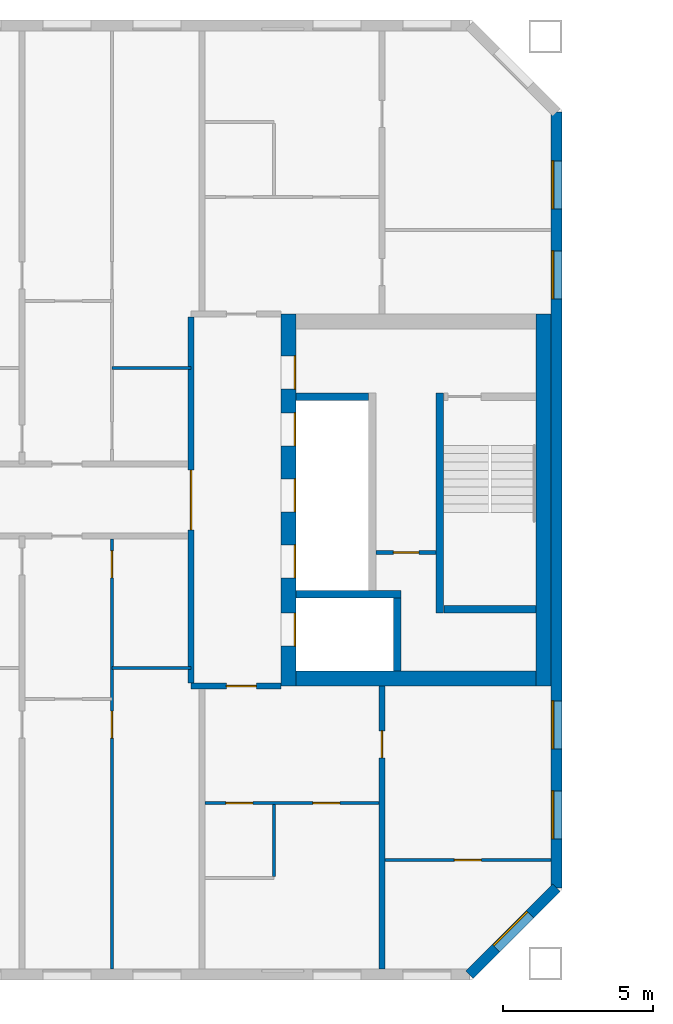
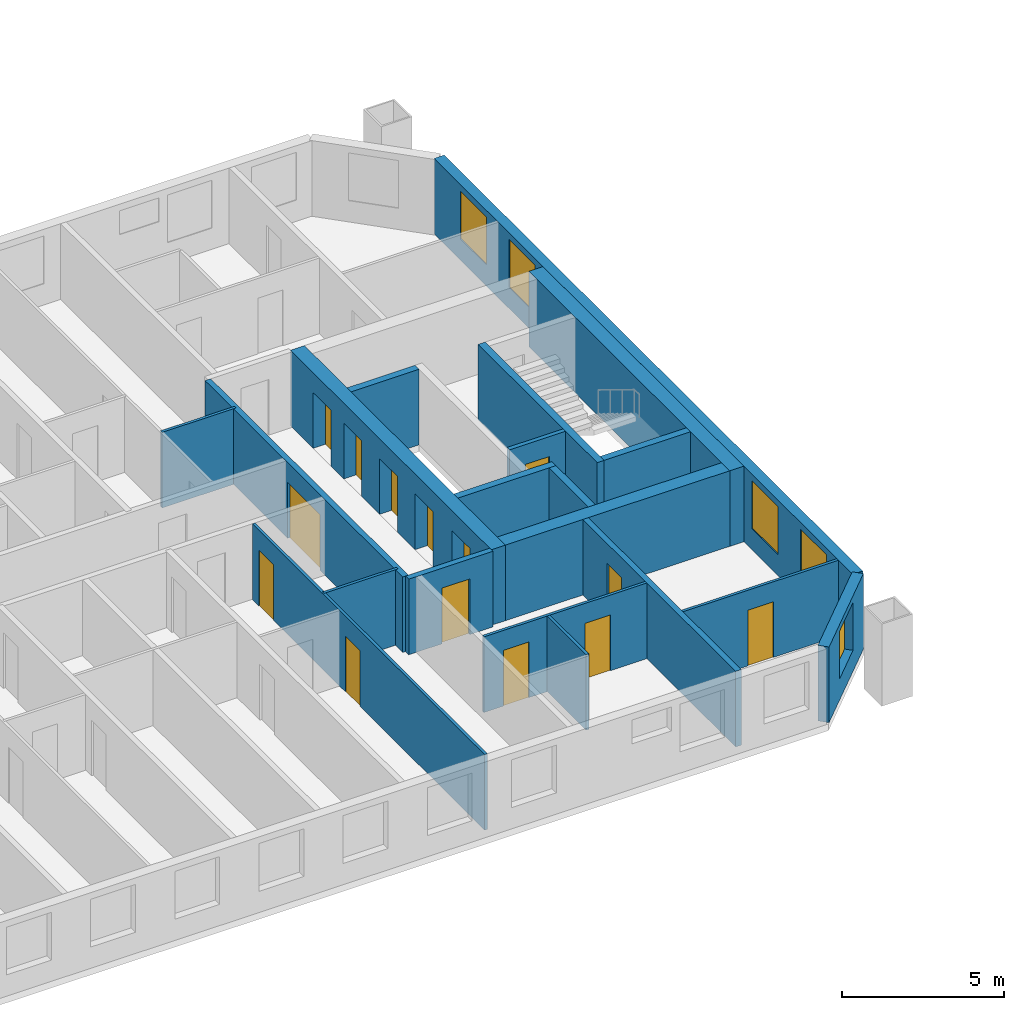
# One storey, part 6 of 15: 20 walls, 14 doors, 5 windows, 19 openings.
"""IFC4 building model written with IfcOpenShell, lengths in metres."""

import ifcopenshell
import ifcopenshell.guid

model = None  # the IFC model being written
_history = None  # IfcOwnerHistory: only IFC2X3 demands one
_inside = {}  # id of a spatial element -> (the spatial element, [elements in it])
_under = {}  # id of a project, library or spatial element -> (it, [spatial elements below it])
_declared = {}  # id of a project -> (the project, [libraries it declares])
_typed = {}  # id of a type object -> (the type object, [elements of that type])
_made_of = {}  # id of a material, layer set ... -> (it, [elements and type objects made of it])


def new_model(schema):
    """Start an empty IFC model of exactly this schema.

    Asked for "IFC4X3", IfcOpenShell would pick the latest addendum, in which some entities
    have other attributes; the version numbers below select the first issue.
    IFC2X3 requires an IfcOwnerHistory on every rooted entity: one is made here for all.
    """
    global model, _history
    if schema == "IFC4X3":
        model = ifcopenshell.file(schema_version=(4, 3, 0, 0))
    else:
        model = ifcopenshell.file(schema=schema)
    _inside.clear()
    _under.clear()
    _declared.clear()
    _typed.clear()
    _made_of.clear()
    _history = None
    if model.schema == "IFC2X3":
        org = make("IfcOrganization", Name="unknown")
        user = make(
            "IfcPersonAndOrganization",
            ThePerson=make("IfcPerson", FamilyName="unknown"),
            TheOrganization=org,
        )
        app = make(
            "IfcApplication",
            ApplicationDeveloper=org,
            Version="unknown",
            ApplicationFullName="unknown",
            ApplicationIdentifier="unknown",
        )
        _history = make(
            "IfcOwnerHistory",
            OwningUser=user,
            OwningApplication=app,
            ChangeAction="ADDED",
            CreationDate=0,
        )
    return model


def make(cls, **values):
    """One entity of the class cls with the attributes given. An attribute that is None is left unset."""
    return model.create_entity(
        cls, **{name: value for name, value in values.items() if value is not None}
    )


def rooted(cls, **values):
    """An entity with a GlobalId (a new one), such as an element, a storey or a relation."""
    return make(cls, GlobalId=ifcopenshell.guid.new(), OwnerHistory=_history, **values)


def si_unit(unit_type, name, prefix=None):
    """IfcSIUnit, for example si_unit("LENGTHUNIT", "METRE", prefix="MILLI")."""
    return make("IfcSIUnit", UnitType=unit_type, Prefix=prefix, Name=name)


def assignment(units):
    """IfcUnitAssignment: the units of a project."""
    return None if units is None else make("IfcUnitAssignment", Units=units)


def point(xyz):
    """IfcCartesianPoint."""
    return None if xyz is None else make("IfcCartesianPoint", Coordinates=xyz)


def direction(xyz):
    """IfcDirection."""
    return None if xyz is None else make("IfcDirection", DirectionRatios=xyz)


def frame(location, z_axis=None, x_axis=None):
    """IfcAxis2Placement3D, a coordinate frame: its origin and axes. An axis left out is left unset."""
    return make(
        "IfcAxis2Placement3D",
        Location=point(location),
        Axis=direction(z_axis),
        RefDirection=direction(x_axis),
    )


def frame_2d(location, x_axis=None):
    """IfcAxis2Placement2D, a coordinate frame in the plane: its origin and x axis."""
    return make(
        "IfcAxis2Placement2D", Location=point(location), RefDirection=direction(x_axis)
    )


def origin():
    """The frame at (0, 0, 0) with its axes left unset."""
    return frame((0.0, 0.0, 0.0))


def place(relative_to, where):
    """IfcLocalPlacement: puts the frame where relative to a parent placement (None: the world)."""
    return make(
        "IfcLocalPlacement", PlacementRelTo=relative_to, RelativePlacement=where
    )


def context(
    kind, dimensions, precision=None, world=None, true_north=None, identifier=None
):
    """IfcGeometricRepresentationContext, for example the 3D "Model" context."""
    return make(
        "IfcGeometricRepresentationContext",
        ContextIdentifier=identifier,
        ContextType=kind,
        CoordinateSpaceDimension=dimensions,
        Precision=precision,
        WorldCoordinateSystem=world,
        TrueNorth=true_north,
    )


def subcontext(parent, identifier, kind, view, scale=None):
    """IfcGeometricRepresentationSubContext, for example "Body" below "Model"."""
    return make(
        "IfcGeometricRepresentationSubContext",
        ContextIdentifier=identifier,
        ContextType=kind,
        ParentContext=parent,
        TargetScale=scale,
        TargetView=view,
    )


def project(units=None, contexts=None):
    """IfcProject with its units and contexts."""
    return rooted(
        "IfcProject",
        Name="project",
        RepresentationContexts=contexts,
        UnitsInContext=assignment(units),
    )


def spatial(cls, under=None, at=None, **own):
    """A site, building, storey or space (cls), placed at a placement, below another one or the project."""
    s = rooted(cls, ObjectPlacement=at, **own)
    if under is not None:
        _under.setdefault(under.id(), (under, []))[1].append(s)
    return s


def profile(cls, at=None, kind="AREA", **sizes):
    """A parametric profile (cls). Its sizes go by their IFC names, for example OverallWidth=200.0."""
    return make(cls, ProfileType=kind, Position=at, **sizes)


def rectangle(**sizes):
    """IfcRectangleProfileDef."""
    return profile("IfcRectangleProfileDef", **sizes)


def extrude(swept, where, along, depth):
    """IfcExtrudedAreaSolid: the profile swept, set in the frame where, extruded along a direction by depth."""
    return make(
        "IfcExtrudedAreaSolid",
        SweptArea=swept,
        Position=where,
        ExtrudedDirection=direction(along),
        Depth=depth,
    )


def shape(context_of_items, identifier, shape_type, items):
    """IfcShapeRepresentation: the items that make up one representation, for example the "Body"."""
    return make(
        "IfcShapeRepresentation",
        ContextOfItems=context_of_items,
        RepresentationIdentifier=identifier,
        RepresentationType=shape_type,
        Items=items,
    )


def material(Name=None, Category=None):
    """IfcMaterial."""
    return make("IfcMaterial", Name=Name, Category=Category)


def layer(
    of_material, thickness, ventilated=None, Name=None, Category=None, Priority=None
):
    """IfcMaterialLayer: one layer of a wall or slab, of a material (None: an air gap)."""
    return make(
        "IfcMaterialLayer",
        Material=of_material,
        LayerThickness=thickness,
        IsVentilated=ventilated,
        Name=Name,
        Category=Category,
        Priority=Priority,
    )


def layer_set(layers, Name=None):
    """IfcMaterialLayerSet."""
    return make("IfcMaterialLayerSet", MaterialLayers=layers, LayerSetName=Name)


def made_of(thing, what):
    """Note that an element or type object is made of a material, layer set ...; save() writes the relation."""
    if what is not None:
        _made_of.setdefault(what.id(), (what, []))[1].append(thing)
    return thing


def type_object(cls, material=None, **own):
    """A type object (cls), such as IfcWallType, which elements share."""
    return made_of(rooted(cls, **own), material)


def element(
    cls,
    number,
    at=None,
    inside=None,
    cuts=None,
    type_object=None,
    material=None,
    context=None,
    identifier="Body",
    shape_type=None,
    held_by="IfcProductDefinitionShape",
    body=None,
    shapes=None,
    **own,
):
    """One element of the class cls, such as IfcWall. Its Tag is "e" and its number.

    at: its placement. inside: the storey or other place that contains it. cuts: it is an
    opening in that element (IfcRelVoidsElement). A single representation is given by context,
    identifier, shape_type and body (its items); several are given by shapes. held_by: the class
    of the entity that holds the representations. save() writes the other relations.
    """
    e = rooted(cls, Tag="e%d" % number, ObjectPlacement=at, **own)
    if body is not None:
        shapes = [shape(context, identifier, shape_type, body)]
    if shapes is not None:
        e.Representation = make(held_by, Representations=shapes)
    if inside is not None:
        _inside.setdefault(inside.id(), (inside, []))[1].append(e)
    if cuts is not None:
        rooted(
            "IfcRelVoidsElement", RelatingBuildingElement=cuts, RelatedOpeningElement=e
        )
    if type_object is not None:
        _typed.setdefault(type_object.id(), (type_object, []))[1].append(e)
    return made_of(e, material)


def fill(opening, filler):
    """IfcRelFillsElement: the door or window that sits in an opening."""
    return rooted(
        "IfcRelFillsElement",
        RelatingOpeningElement=opening,
        RelatedBuildingElement=filler,
    )


def aggregate(whole, parts):
    """IfcRelAggregates: a whole, such as a stair, and the parts it consists of."""
    return rooted("IfcRelAggregates", RelatingObject=whole, RelatedObjects=parts)


def save(model, path):
    """Write the relations noted so far, then the file.

    IfcRelAggregates (storeys below a building ...), IfcRelContainedInSpatialStructure (elements
    in a storey), IfcRelDefinesByType, IfcRelAssociatesMaterial and IfcRelDeclares: one each for
    every whole, place, type object, material and project.
    """
    for whole, parts in _under.values():
        aggregate(whole, parts)
    for where, things in _inside.values():
        rooted(
            "IfcRelContainedInSpatialStructure",
            RelatedElements=things,
            RelatingStructure=where,
        )
    for kind, things in _typed.values():
        rooted("IfcRelDefinesByType", RelatedObjects=things, RelatingType=kind)
    for what, things in _made_of.values():
        rooted("IfcRelAssociatesMaterial", RelatedObjects=things, RelatingMaterial=what)
    for by, libraries in _declared.values():
        rooted("IfcRelDeclares", RelatingContext=by, RelatedDefinitions=libraries)
    model.write(path)


model = new_model("IFC4")

# Units and contexts
model_context = context("Model", 3, precision=1e-05, world=origin(), true_north=direction((0.0, 1.0)))
body_context = subcontext(model_context, "Body", "Model", "MODEL_VIEW")
ifc_project = project(units=[si_unit("LENGTHUNIT", "METRE"), si_unit("AREAUNIT", "SQUARE_METRE"), si_unit("VOLUMEUNIT", "CUBIC_METRE"), si_unit("PLANEANGLEUNIT", "RADIAN"), si_unit("MASSUNIT", "GRAM", prefix="KILO")], contexts=[model_context])

# Site, building, storey
site_placement = place(None, origin())
site = spatial("IfcSite", under=ifc_project, at=site_placement, CompositionType="ELEMENT")
building_placement = place(site_placement, origin())
building = spatial("IfcBuilding", under=site, at=building_placement, Name="Tuart Gate Housing", CompositionType="ELEMENT")
storey_placement = place(building_placement, frame((0.0, 0.0, 154.699951171875)))
storey = spatial("IfcBuildingStorey", under=building, at=storey_placement, Name="L43", CompositionType="ELEMENT", Elevation=154.699951171875)

# Wall, opening, window
ifc_material_1 = material(Name="Brick", Category="masonry")
ifc_layer_1 = layer(ifc_material_1, 0.360107421875)
ifc_layer_set_1 = layer_set([ifc_layer_1], Name="Brick pier and spandrel wall 360")
wall_type_1 = type_object("IfcWallType", Name="Brick pier and spandrel wall 360", PredefinedType="STANDARD", material=ifc_layer_set_1)
wall_1_placement = place(storey_placement, frame((72.92529296875, 54.179931640625, 0.0), z_axis=(0.0, 0.0, 1.0), x_axis=(0.707106781187, 0.707106781187, 0.0)))
wall_1 = element("IfcWall", 1, at=wall_1_placement, inside=storey, type_object=wall_type_1, Name="External wall A-SE L43", PredefinedType="STANDARD", context=body_context, shape_type="SweptSolid", body=[
    extrude(rectangle(XDim=4.09375, YDim=0.360107421875, at=frame_2d((2.046875, 0.0))), origin(), (0.0, 0.0, 1.0), 2.85009765625),
])
opening_1_placement = place(wall_1_placement, frame((1.2470703125, 0.0, 0.800048828125)))
opening_1 = element("IfcOpeningElement", 2, at=opening_1_placement, cuts=wall_1, Name="Opening W1", PredefinedType="OPENING", context=body_context, shape_type="SweptSolid", body=[
    extrude(rectangle(XDim=1.60009765625, YDim=1.800048828125, at=frame_2d((0.800048828125, 0.89990234375))), frame((0.0, 0.18994140625, 0.0), z_axis=(0.0, -1.0, 0.0), x_axis=(1.0, 0.0, 0.0)), (0.0, 0.0, 1.0), 0.380126953125),
])
ifc_material_2 = material(Name="Aluminium frame with clear glass", Category="aluminium")
window_type = type_object("IfcWindowType", Name="Punched window 1600 x 1800", PartitioningType="SINGLE_PANEL", PredefinedType="WINDOW", material=ifc_material_2)
window_1_placement = place(opening_1_placement, origin())
window_1 = element("IfcWindow", 3, at=window_1_placement, inside=storey, type_object=window_type, Name="Window W1", OverallHeight=1.800048828125, OverallWidth=1.60009765625, PartitioningType="SINGLE_PANEL", PredefinedType="WINDOW", context=body_context, shape_type="SweptSolid", body=[
    extrude(rectangle(XDim=1.60009765625, YDim=1.800048828125, at=frame_2d((0.800048828125, 0.89990234375))), frame((0.0, 0.150146484375, 0.0), z_axis=(0.0, -1.0, 0.0), x_axis=(1.0, 0.0, 0.0)), (0.0, 0.0, 1.0), 0.06005859375),
])
fill(opening_1, window_1)

# Wall, openings, windows
wall_2_placement = place(storey_placement, frame((75.820068359375, 57.07470703125, 0.0), z_axis=(0.0, 0.0, 1.0), x_axis=(0.0, 1.0, 0.0)))
wall_2 = element("IfcWall", 4, at=wall_2_placement, inside=storey, type_object=wall_type_1, Name="External wall A-E L43", PredefinedType="STANDARD", context=body_context, shape_type="SweptSolid", body=[
    extrude(rectangle(XDim=25.850830078125, YDim=0.360107421875, at=frame_2d((12.92529296875, 0.0))), origin(), (0.0, 0.0, 1.0), 2.85009765625),
])
opening_2_placement = place(wall_2_placement, frame((1.62548828125, 0.0, 0.800048828125)))
opening_2 = element("IfcOpeningElement", 5, at=opening_2_placement, cuts=wall_2, Name="Opening W1", PredefinedType="OPENING", context=body_context, shape_type="SweptSolid", body=[
    extrude(rectangle(XDim=1.60009765625, YDim=1.800048828125, at=frame_2d((0.800048828125, 0.89990234375))), frame((0.0, 0.18994140625, 0.0), z_axis=(0.0, -1.0, 0.0), x_axis=(1.0, 0.0, 0.0)), (0.0, 0.0, 1.0), 0.380126953125),
])
opening_3_placement = place(wall_2_placement, frame((4.62548828125, 0.0, 0.800048828125)))
opening_3 = element("IfcOpeningElement", 6, at=opening_3_placement, cuts=wall_2, Name="Opening W1", PredefinedType="OPENING", context=body_context, shape_type="SweptSolid", body=[
    extrude(rectangle(XDim=1.60009765625, YDim=1.800048828125, at=frame_2d((0.800048828125, 0.89990234375))), frame((0.0, 0.18994140625, 0.0), z_axis=(0.0, -1.0, 0.0), x_axis=(1.0, 0.0, 0.0)), (0.0, 0.0, 1.0), 0.380126953125),
])
opening_4_placement = place(wall_2_placement, frame((19.62548828125, 0.0, 0.800048828125)))
opening_4 = element("IfcOpeningElement", 7, at=opening_4_placement, cuts=wall_2, Name="Opening W1", PredefinedType="OPENING", context=body_context, shape_type="SweptSolid", body=[
    extrude(rectangle(XDim=1.60009765625, YDim=1.800048828125, at=frame_2d((0.800048828125, 0.89990234375))), frame((0.0, 0.18994140625, 0.0), z_axis=(0.0, -1.0, 0.0), x_axis=(1.0, 0.0, 0.0)), (0.0, 0.0, 1.0), 0.380126953125),
])
opening_5_placement = place(wall_2_placement, frame((22.62548828125, 0.0, 0.800048828125)))
opening_5 = element("IfcOpeningElement", 8, at=opening_5_placement, cuts=wall_2, Name="Opening W1", PredefinedType="OPENING", context=body_context, shape_type="SweptSolid", body=[
    extrude(rectangle(XDim=1.60009765625, YDim=1.800048828125, at=frame_2d((0.800048828125, 0.89990234375))), frame((0.0, 0.18994140625, 0.0), z_axis=(0.0, -1.0, 0.0), x_axis=(1.0, 0.0, 0.0)), (0.0, 0.0, 1.0), 0.380126953125),
])
window_2_placement = place(opening_2_placement, origin())
window_2 = element("IfcWindow", 9, at=window_2_placement, inside=storey, type_object=window_type, Name="Window W1", OverallHeight=1.800048828125, OverallWidth=1.60009765625, PartitioningType="SINGLE_PANEL", PredefinedType="WINDOW", context=body_context, shape_type="SweptSolid", body=[
    extrude(rectangle(XDim=1.60009765625, YDim=1.800048828125, at=frame_2d((0.800048828125, 0.89990234375))), frame((0.0, 0.150146484375, 0.0), z_axis=(0.0, -1.0, 0.0), x_axis=(1.0, 0.0, 0.0)), (0.0, 0.0, 1.0), 0.06005859375),
])
fill(opening_2, window_2)
window_3_placement = place(opening_3_placement, origin())
window_3 = element("IfcWindow", 10, at=window_3_placement, inside=storey, type_object=window_type, Name="Window W1", OverallHeight=1.800048828125, OverallWidth=1.60009765625, PartitioningType="SINGLE_PANEL", PredefinedType="WINDOW", context=body_context, shape_type="SweptSolid", body=[
    extrude(rectangle(XDim=1.60009765625, YDim=1.800048828125, at=frame_2d((0.800048828125, 0.89990234375))), frame((0.0, 0.150146484375, 0.0), z_axis=(0.0, -1.0, 0.0), x_axis=(1.0, 0.0, 0.0)), (0.0, 0.0, 1.0), 0.06005859375),
])
fill(opening_3, window_3)
window_4_placement = place(opening_4_placement, origin())
window_4 = element("IfcWindow", 11, at=window_4_placement, inside=storey, type_object=window_type, Name="Window W1", OverallHeight=1.800048828125, OverallWidth=1.60009765625, PartitioningType="SINGLE_PANEL", PredefinedType="WINDOW", context=body_context, shape_type="SweptSolid", body=[
    extrude(rectangle(XDim=1.60009765625, YDim=1.800048828125, at=frame_2d((0.800048828125, 0.89990234375))), frame((0.0, 0.150146484375, 0.0), z_axis=(0.0, -1.0, 0.0), x_axis=(1.0, 0.0, 0.0)), (0.0, 0.0, 1.0), 0.06005859375),
])
fill(opening_4, window_4)
window_5_placement = place(opening_5_placement, origin())
window_5 = element("IfcWindow", 12, at=window_5_placement, inside=storey, type_object=window_type, Name="Window W1", OverallHeight=1.800048828125, OverallWidth=1.60009765625, PartitioningType="SINGLE_PANEL", PredefinedType="WINDOW", context=body_context, shape_type="SweptSolid", body=[
    extrude(rectangle(XDim=1.60009765625, YDim=1.800048828125, at=frame_2d((0.800048828125, 0.89990234375))), frame((0.0, 0.150146484375, 0.0), z_axis=(0.0, -1.0, 0.0), x_axis=(1.0, 0.0, 0.0)), (0.0, 0.0, 1.0), 0.06005859375),
])
fill(opening_5, window_5)

# Wall, opening, door
ifc_material_3 = material(Name="Plasterboard partition")
ifc_layer_2 = layer(ifc_material_3, 0.14990234375)
ifc_layer_set_2 = layer_set([ifc_layer_2], Name="Core partition 150")
wall_type_2 = type_object("IfcWallType", Name="Core partition 150", PredefinedType="PARTITIONING", material=ifc_layer_set_2)
wall_3_placement = place(storey_placement, frame((69.81494140625, 68.25, 0.0), z_axis=(0.0, 0.0, 1.0), x_axis=(1.0, 0.0, 0.0)))
wall_3 = element("IfcWall", 13, at=wall_3_placement, inside=storey, type_object=wall_type_2, Name="Core partition AG.3", PredefinedType="PARTITIONING", context=body_context, shape_type="SweptSolid", body=[
    extrude(rectangle(XDim=2.0, YDim=0.14990234375, at=frame_2d((1.0, 0.0))), origin(), (0.0, 0.0, 1.0), 2.85009765625),
])
opening_6_placement = place(wall_3_placement, frame((0.574951171875, 0.0, 0.0)))
opening_6 = element("IfcOpeningElement", 14, at=opening_6_placement, cuts=wall_3, Name="Opening D1550", PredefinedType="OPENING", context=body_context, shape_type="SweptSolid", body=[
    extrude(rectangle(XDim=0.85009765625, YDim=2.10009765625, at=frame_2d((0.425048828125, 1.050048828125))), frame((0.0, 0.0849609375, 0.0), z_axis=(0.0, -1.0, 0.0), x_axis=(1.0, 0.0, 0.0)), (0.0, 0.0, 1.0), 0.169921875),
])
ifc_material_4 = material(Name="Steel fire door", Category="steel")
door_type_1 = type_object("IfcDoorType", Name="Riser door 850 x 2100 RH", OperationType="SINGLE_SWING_RIGHT", PredefinedType="DOOR", material=ifc_material_4)
door_1_placement = place(opening_6_placement, frame((0.85009765625, 0.0, 0.0), z_axis=(0.0, 0.0, 1.0), x_axis=(-1.0, 0.0, 0.0)))
door_1 = element("IfcDoor", 15, at=door_1_placement, inside=storey, type_object=door_type_1, Name="Service room door AG.E1", OperationType="SINGLE_SWING_RIGHT", OverallHeight=2.10009765625, OverallWidth=0.85009765625, PredefinedType="DOOR", context=body_context, shape_type="SweptSolid", body=[
    extrude(rectangle(XDim=0.85009765625, YDim=2.10009765625, at=frame_2d((0.425048828125, 1.050048828125))), frame((0.0, 0.025146484375, 0.0), z_axis=(0.0, -1.0, 0.0), x_axis=(1.0, 0.0, 0.0)), (0.0, 0.0, 1.0), 0.050048828125),
])
fill(opening_6, door_1)

# Walls
ifc_material_5 = material(Name="Concrete C40", Category="concrete")
ifc_layer_3 = layer(ifc_material_5, 0.25)
ifc_layer_set_3 = layer_set([ifc_layer_3], Name="Core wall 250 C40")
wall_type_3 = type_object("IfcWallType", Name="Core wall 250 C40", PredefinedType="SHEAR", material=ifc_layer_set_3)
wall_4_placement = place(storey_placement, frame((72.06494140625, 66.35009765625, 0.0), z_axis=(0.0, 0.0, 1.0), x_axis=(1.0, 0.0, 0.0)))
element("IfcWall", 16, at=wall_4_placement, inside=storey, type_object=wall_type_3, Name="Core wall AG.1", PredefinedType="SHEAR", context=body_context, shape_type="SweptSolid", body=[
    extrude(rectangle(XDim=3.074951171875, YDim=0.25, at=frame_2d((1.53759765625, 0.0))), origin(), (0.0, 0.0, 1.0), 2.85009765625),
])
wall_5_placement = place(storey_placement, frame((67.139892578125, 66.85009765625, 0.0), z_axis=(0.0, 0.0, 1.0), x_axis=(1.0, 0.0, 0.0)))
element("IfcWall", 17, at=wall_5_placement, inside=storey, type_object=wall_type_3, Name="Core wall AG.2", PredefinedType="SHEAR", context=body_context, shape_type="SweptSolid", body=[
    extrude(rectangle(XDim=3.4951171875, YDim=0.25, at=frame_2d((1.74755859375, 0.0))), origin(), (0.0, 0.0, 1.0), 2.85009765625),
])
for number, where, z_axis, x_axis, name in (
    (18, (67.139892578125, 73.449951171875, 0.0), (0.0, 0.0, 1.0), (1.0, 0.0, 0.0), "Core wall AG.4"),
    (19, (70.510009765625, 64.300048828125, 0.0), (0.0, 0.0, 1.0), (0.0, 1.0, 0.0), "Core wall AG.7"),
):
    element("IfcWall", number, at=place(storey_placement, frame(where, z_axis=z_axis, x_axis=x_axis)), inside=storey, type_object=wall_type_3, Name=name, PredefinedType="SHEAR", context=body_context, shape_type="SweptSolid", body=[
        extrude(rectangle(XDim=2.425048828125, YDim=0.25, at=frame_2d((1.21240234375, 0.0))), origin(), (0.0, 0.0, 1.0), 2.85009765625),
    ])
wall_6_placement = place(storey_placement, frame((71.93994140625, 66.22509765625, 0.0), z_axis=(0.0, 0.0, 1.0), x_axis=(0.0, 1.0, 0.0)))
element("IfcWall", 20, at=wall_6_placement, inside=storey, type_object=wall_type_3, Name="Core wall AG.8", PredefinedType="SHEAR", context=body_context, shape_type="SweptSolid", body=[
    extrude(rectangle(XDim=7.349853515625, YDim=0.25, at=frame_2d((3.6748046875, 0.0))), origin(), (0.0, 0.0, 1.0), 2.85009765625),
])

# Wall, openings, doors
ifc_material_6 = material(Name="Concrete C40", Category="concrete")
ifc_layer_4 = layer(ifc_material_6, 0.5)
ifc_layer_set_4 = layer_set([ifc_layer_4], Name="Core wall 500 C40")
wall_type_4 = type_object("IfcWallType", Name="Core wall 500 C40", PredefinedType="SHEAR", material=ifc_layer_set_4)
wall_7_placement = place(storey_placement, frame((66.889892578125, 63.800048828125, 0.0), z_axis=(0.0, 0.0, 1.0), x_axis=(0.0, 1.0, 0.0)))
wall_7 = element("IfcWall", 21, at=wall_7_placement, inside=storey, type_object=wall_type_4, Name="Core wall AG front", PredefinedType="SHEAR", context=body_context, shape_type="SweptSolid", body=[
    extrude(rectangle(XDim=12.39990234375, YDim=0.5, at=frame_2d((6.199951171875, 0.0))), origin(), (0.0, 0.0, 1.0), 2.85009765625),
])
opening_7_placement = place(wall_7_placement, frame((1.324951171875, 0.0, 0.0)))
opening_7 = element("IfcOpeningElement", 22, at=opening_7_placement, cuts=wall_7, Name="Opening LD-FA1", PredefinedType="OPENING", context=body_context, shape_type="SweptSolid", body=[
    extrude(rectangle(XDim=1.10009765625, YDim=2.10009765625, at=frame_2d((0.550048828125, 1.050048828125))), frame((0.0, 0.260009765625, 0.0), z_axis=(0.0, -1.0, 0.0), x_axis=(1.0, 0.0, 0.0)), (0.0, 0.0, 1.0), 0.52001953125),
])
opening_8_placement = place(wall_7_placement, frame((3.60009765625, 0.0, 0.0)))
opening_8 = element("IfcOpeningElement", 23, at=opening_8_placement, cuts=wall_7, Name="Opening LD-LA1", PredefinedType="OPENING", context=body_context, shape_type="SweptSolid", body=[
    extrude(rectangle(XDim=1.10009765625, YDim=2.10009765625, at=frame_2d((0.550048828125, 1.050048828125))), frame((0.0, 0.260009765625, 0.0), z_axis=(0.0, -1.0, 0.0), x_axis=(1.0, 0.0, 0.0)), (0.0, 0.0, 1.0), 0.52001953125),
])
opening_9_placement = place(wall_7_placement, frame((5.800048828125, 0.0, 0.0)))
opening_9 = element("IfcOpeningElement", 24, at=opening_9_placement, cuts=wall_7, Name="Opening LD-LA2", PredefinedType="OPENING", context=body_context, shape_type="SweptSolid", body=[
    extrude(rectangle(XDim=1.10009765625, YDim=2.10009765625, at=frame_2d((0.550048828125, 1.050048828125))), frame((0.0, 0.260009765625, 0.0), z_axis=(0.0, -1.0, 0.0), x_axis=(1.0, 0.0, 0.0)), (0.0, 0.0, 1.0), 0.52001953125),
])
opening_10_placement = place(wall_7_placement, frame((8.0, 0.0, 0.0)))
opening_10 = element("IfcOpeningElement", 25, at=opening_10_placement, cuts=wall_7, Name="Opening LD-LA3", PredefinedType="OPENING", context=body_context, shape_type="SweptSolid", body=[
    extrude(rectangle(XDim=1.10009765625, YDim=2.10009765625, at=frame_2d((0.550048828125, 1.050048828125))), frame((0.0, 0.260009765625, 0.0), z_axis=(0.0, -1.0, 0.0), x_axis=(1.0, 0.0, 0.0)), (0.0, 0.0, 1.0), 0.52001953125),
])
opening_11_placement = place(wall_7_placement, frame((9.89990234375, 0.0, 0.0)))
opening_11 = element("IfcOpeningElement", 26, at=opening_11_placement, cuts=wall_7, Name="Opening D1547", PredefinedType="OPENING", context=body_context, shape_type="SweptSolid", body=[
    extrude(rectangle(XDim=1.10009765625, YDim=2.10009765625, at=frame_2d((0.550048828125, 1.050048828125))), frame((0.0, 0.260009765625, 0.0), z_axis=(0.0, -1.0, 0.0), x_axis=(1.0, 0.0, 0.0)), (0.0, 0.0, 1.0), 0.52001953125),
])
ifc_material_7 = material(Name="Stainless steel", Category="steel")
door_type_2 = type_object("IfcDoorType", Name="Landing door 1100 x 2100", OperationType="DOUBLE_DOOR_SLIDING", PredefinedType="DOOR", material=ifc_material_7)
door_2_placement = place(opening_7_placement, origin())
door_2 = element("IfcDoor", 27, at=door_2_placement, inside=storey, type_object=door_type_2, Name="Lift landing door FA1", OperationType="DOUBLE_DOOR_SLIDING", OverallHeight=2.10009765625, OverallWidth=1.10009765625, PredefinedType="DOOR", context=body_context, shape_type="SweptSolid", body=[
    extrude(rectangle(XDim=1.10009765625, YDim=2.10009765625, at=frame_2d((0.550048828125, 1.050048828125))), frame((0.0, -0.18505859375, 0.0), z_axis=(0.0, -1.0, 0.0), x_axis=(1.0, 0.0, 0.0)), (0.0, 0.0, 1.0), 0.050048828125),
])
fill(opening_7, door_2)
door_3_placement = place(opening_8_placement, origin())
door_3 = element("IfcDoor", 28, at=door_3_placement, inside=storey, type_object=door_type_2, Name="Lift landing door LA1", OperationType="DOUBLE_DOOR_SLIDING", OverallHeight=2.10009765625, OverallWidth=1.10009765625, PredefinedType="DOOR", context=body_context, shape_type="SweptSolid", body=[
    extrude(rectangle(XDim=1.10009765625, YDim=2.10009765625, at=frame_2d((0.550048828125, 1.050048828125))), frame((0.0, -0.18505859375, 0.0), z_axis=(0.0, -1.0, 0.0), x_axis=(1.0, 0.0, 0.0)), (0.0, 0.0, 1.0), 0.050048828125),
])
fill(opening_8, door_3)
door_4_placement = place(opening_9_placement, origin())
door_4 = element("IfcDoor", 29, at=door_4_placement, inside=storey, type_object=door_type_2, Name="Lift landing door LA2", OperationType="DOUBLE_DOOR_SLIDING", OverallHeight=2.10009765625, OverallWidth=1.10009765625, PredefinedType="DOOR", context=body_context, shape_type="SweptSolid", body=[
    extrude(rectangle(XDim=1.10009765625, YDim=2.10009765625, at=frame_2d((0.550048828125, 1.050048828125))), frame((0.0, -0.18505859375, 0.0), z_axis=(0.0, -1.0, 0.0), x_axis=(1.0, 0.0, 0.0)), (0.0, 0.0, 1.0), 0.050048828125),
])
fill(opening_9, door_4)
door_5_placement = place(opening_10_placement, origin())
door_5 = element("IfcDoor", 30, at=door_5_placement, inside=storey, type_object=door_type_2, Name="Lift landing door LA3", OperationType="DOUBLE_DOOR_SLIDING", OverallHeight=2.10009765625, OverallWidth=1.10009765625, PredefinedType="DOOR", context=body_context, shape_type="SweptSolid", body=[
    extrude(rectangle(XDim=1.10009765625, YDim=2.10009765625, at=frame_2d((0.550048828125, 1.050048828125))), frame((0.0, -0.18505859375, 0.0), z_axis=(0.0, -1.0, 0.0), x_axis=(1.0, 0.0, 0.0)), (0.0, 0.0, 1.0), 0.050048828125),
])
fill(opening_10, door_5)
ifc_material_8 = material(Name="Steel fire door", Category="steel")
door_type_3 = type_object("IfcDoorType", Name="Lobby door 1100 x 2100 RH", OperationType="SINGLE_SWING_RIGHT", PredefinedType="DOOR", material=ifc_material_8)
door_6_placement = place(opening_11_placement, frame((1.10009765625, 0.0, 0.0), z_axis=(0.0, 0.0, 1.0), x_axis=(-1.0, 0.0, 0.0)))
door_6 = element("IfcDoor", 31, at=door_6_placement, inside=storey, type_object=door_type_3, Name="Lobby entry door AG.EN", OperationType="SINGLE_SWING_RIGHT", OverallHeight=2.10009765625, OverallWidth=1.10009765625, PredefinedType="DOOR", context=body_context, shape_type="SweptSolid", body=[
    extrude(rectangle(XDim=1.10009765625, YDim=2.10009765625, at=frame_2d((0.550048828125, 1.050048828125))), frame((0.0, 0.235107421875, 0.0), z_axis=(0.0, -1.0, 0.0), x_axis=(1.0, 0.0, 0.0)), (0.0, 0.0, 1.0), 0.050048828125),
])
fill(opening_11, door_6)

# Walls
wall_8_placement = place(storey_placement, frame((75.389892578125, 63.800048828125, 0.0), z_axis=(0.0, 0.0, 1.0), x_axis=(0.0, 1.0, 0.0)))
element("IfcWall", 32, at=wall_8_placement, inside=storey, type_object=wall_type_4, Name="Core wall AG back", PredefinedType="SHEAR", context=body_context, shape_type="SweptSolid", body=[
    extrude(rectangle(XDim=12.39990234375, YDim=0.5, at=frame_2d((6.199951171875, 0.0))), origin(), (0.0, 0.0, 1.0), 2.85009765625),
])
wall_9_placement = place(storey_placement, frame((67.139892578125, 64.050048828125, 0.0), z_axis=(0.0, 0.0, 1.0), x_axis=(1.0, 0.0, 0.0)))
element("IfcWall", 33, at=wall_9_placement, inside=storey, type_object=wall_type_4, Name="Core wall AG south", PredefinedType="SHEAR", context=body_context, shape_type="SweptSolid", body=[
    extrude(rectangle(XDim=8.0, YDim=0.5, at=frame_2d((4.0, 0.0))), origin(), (0.0, 0.0, 1.0), 2.85009765625),
])

# Wall, opening, door
ifc_material_9 = material(Name="Concrete masonry 15 MPa", Category="masonry")
ifc_layer_5 = layer(ifc_material_9, 0.199951171875)
ifc_layer_set_5 = layer_set([ifc_layer_5], Name="Enclosure wall masonry 200")
wall_type_5 = type_object("IfcWallType", Name="Enclosure wall masonry 200", PredefinedType="PARTITIONING", material=ifc_layer_set_5)
wall_10_placement = place(storey_placement, frame((63.639892578125, 63.800048828125, 0.0), z_axis=(0.0, 0.0, 1.0), x_axis=(1.0, 0.0, 0.0)))
wall_10 = element("IfcWall", 34, at=wall_10_placement, inside=storey, type_object=wall_type_5, Name="Enclosure wall masonry 200", PredefinedType="PARTITIONING", context=body_context, shape_type="SweptSolid", body=[
    extrude(rectangle(XDim=3.0, YDim=0.199951171875, at=frame_2d((1.5, 0.0))), origin(), (0.0, 0.0, 1.0), 2.85009765625),
])
opening_12_placement = place(wall_10_placement, frame((1.179931640625, 0.0, 0.0)))
opening_12 = element("IfcOpeningElement", 35, at=opening_12_placement, cuts=wall_10, Name="Opening D1553", PredefinedType="OPENING", context=body_context, shape_type="SweptSolid", body=[
    extrude(rectangle(XDim=1.0, YDim=2.10009765625, at=frame_2d((0.5, 1.050048828125))), frame((0.0, 0.10986328125, 0.0), z_axis=(0.0, -1.0, 0.0), x_axis=(1.0, 0.0, 0.0)), (0.0, 0.0, 1.0), 0.219970703125),
])
ifc_material_10 = material(Name="Timber door leaf in steel frame", Category="steel")
door_type_4 = type_object("IfcDoorType", Name="Flat entrance door 1000 RH", OperationType="SINGLE_SWING_RIGHT", PredefinedType="DOOR", material=ifc_material_10)
door_7_placement = place(opening_12_placement, frame((1.0, 0.0, 0.0), z_axis=(0.0, 0.0, 1.0), x_axis=(-1.0, 0.0, 0.0)))
door_7 = element("IfcDoor", 36, at=door_7_placement, inside=storey, type_object=door_type_4, Name="Flat entrance door", OperationType="SINGLE_SWING_RIGHT", OverallHeight=2.10009765625, OverallWidth=1.0, PredefinedType="DOOR", context=body_context, shape_type="SweptSolid", body=[
    extrude(rectangle(XDim=1.0, YDim=2.10009765625, at=frame_2d((0.5, 1.050048828125))), frame((0.0, 0.025146484375, 0.0), z_axis=(0.0, -1.0, 0.0), x_axis=(1.0, 0.0, 0.0)), (0.0, 0.0, 1.0), 0.050048828125),
])
fill(opening_12, door_7)

ifc_material_11 = material(Name="Plasterboard partition")
ifc_layer_6 = layer(ifc_material_11, 0.199951171875)
ifc_layer_set_6 = layer_set([ifc_layer_6], Name="Lobby wall 200")
wall_type_6 = type_object("IfcWallType", Name="Lobby wall 200", PredefinedType="PARTITIONING", material=ifc_layer_set_6)
wall_11_placement = place(storey_placement, frame((63.639892578125, 63.89990234375, 0.0), z_axis=(0.0, 0.0, 1.0), x_axis=(0.0, 1.0, 0.0)))
wall_11 = element("IfcWall", 37, at=wall_11_placement, inside=storey, type_object=wall_type_6, Name="Lift lobby wall AG", PredefinedType="PARTITIONING", context=body_context, shape_type="SweptSolid", body=[
    extrude(rectangle(XDim=12.2001953125, YDim=0.199951171875, at=frame_2d((6.10009765625, 0.0))), origin(), (0.0, 0.0, 1.0), 2.85009765625),
])
opening_13_placement = place(wall_11_placement, frame((5.10009765625, 0.0, 0.0)))
opening_13 = element("IfcOpeningElement", 38, at=opening_13_placement, cuts=wall_11, Name="Opening D1546", PredefinedType="OPENING", context=body_context, shape_type="SweptSolid", body=[
    extrude(rectangle(XDim=2.0, YDim=2.10009765625, at=frame_2d((1.0, 1.050048828125))), frame((0.0, 0.10986328125, 0.0), z_axis=(0.0, -1.0, 0.0), x_axis=(1.0, 0.0, 0.0)), (0.0, 0.0, 1.0), 0.219970703125),
])
ifc_material_12 = material(Name="Steel fire door", Category="steel")
door_type_5 = type_object("IfcDoorType", Name="Smoke door 2000 x 2100", OperationType="DOUBLE_DOOR_SINGLE_SWING", PredefinedType="DOOR", material=ifc_material_12)
door_8_placement = place(opening_13_placement, frame((2.0, 0.0, 0.0), z_axis=(0.0, 0.0, 1.0), x_axis=(-1.0, 0.0, 0.0)))
door_8 = element("IfcDoor", 39, at=door_8_placement, inside=storey, type_object=door_type_5, Name="Lift lobby smoke door AG", OperationType="DOUBLE_DOOR_SINGLE_SWING", OverallHeight=2.10009765625, OverallWidth=2.0, PredefinedType="DOOR", context=body_context, shape_type="SweptSolid", body=[
    extrude(rectangle(XDim=2.0, YDim=2.10009765625, at=frame_2d((1.0, 1.050048828125))), frame((0.0, 0.025146484375, 0.0), z_axis=(0.0, -1.0, 0.0), x_axis=(1.0, 0.0, 0.0)), (0.0, 0.0, 1.0), 0.050048828125),
])
fill(opening_13, door_8)

ifc_material_13 = material(Name="Gypsum board on steel studs", Category="steel")
ifc_layer_7 = layer(ifc_material_13, 0.10009765625)
ifc_layer_set_7 = layer_set([ifc_layer_7], Name="Partition 100")
wall_type_7 = type_object("IfcWallType", Name="Partition 100", PredefinedType="PARTITIONING", material=ifc_layer_set_7)
wall_12_placement = place(storey_placement, frame((70.10009765625, 58.0, 0.0), z_axis=(0.0, 0.0, 1.0), x_axis=(1.0, 0.0, 0.0)))
wall_12 = element("IfcWall", 40, at=wall_12_placement, inside=storey, type_object=wall_type_7, Name="Partition 100", PredefinedType="PARTITIONING", context=body_context, shape_type="SweptSolid", body=[
    extrude(rectangle(XDim=5.539794921875, YDim=0.10009765625, at=frame_2d((2.77001953125, 0.0))), origin(), (0.0, 0.0, 1.0), 2.85009765625),
])
opening_14_placement = place(wall_12_placement, frame((2.320068359375, 0.0, 0.0)))
opening_14 = element("IfcOpeningElement", 41, at=opening_14_placement, cuts=wall_12, Name="Opening D1570", PredefinedType="OPENING", context=body_context, shape_type="SweptSolid", body=[
    extrude(rectangle(XDim=0.89990234375, YDim=2.10009765625, at=frame_2d((0.449951171875, 1.050048828125))), frame((0.0, 0.06005859375, 0.0), z_axis=(0.0, -1.0, 0.0), x_axis=(1.0, 0.0, 0.0)), (0.0, 0.0, 1.0), 0.1201171875),
])
ifc_material_14 = material(Name="Timber door leaf in steel frame", Category="steel")
door_type_6 = type_object("IfcDoorType", Name="Internal door 900", OperationType="SINGLE_SWING_LEFT", PredefinedType="DOOR", material=ifc_material_14)
door_9_placement = place(opening_14_placement, frame((0.89990234375, 0.0, 0.0), z_axis=(0.0, 0.0, 1.0), x_axis=(-1.0, 0.0, 0.0)))
door_9 = element("IfcDoor", 42, at=door_9_placement, inside=storey, type_object=door_type_6, Name="Internal door", OperationType="SINGLE_SWING_LEFT", OverallHeight=2.10009765625, OverallWidth=0.89990234375, PredefinedType="DOOR", context=body_context, shape_type="SweptSolid", body=[
    extrude(rectangle(XDim=0.89990234375, YDim=2.10009765625, at=frame_2d((0.449951171875, 1.050048828125))), frame((0.0, 0.025146484375, 0.0), z_axis=(0.0, -1.0, 0.0), x_axis=(1.0, 0.0, 0.0)), (0.0, 0.0, 1.0), 0.050048828125),
])
fill(opening_14, door_9)

# Wall, openings, doors
wall_13_placement = place(storey_placement, frame((64.10009765625, 59.89990234375, 0.0), z_axis=(0.0, 0.0, 1.0), x_axis=(1.0, 0.0, 0.0)))
wall_13 = element("IfcWall", 43, at=wall_13_placement, inside=storey, type_object=wall_type_7, Name="Partition 100", PredefinedType="PARTITIONING", context=body_context, shape_type="SweptSolid", body=[
    extrude(rectangle(XDim=5.7998046875, YDim=0.10009765625, at=frame_2d((2.89990234375, 0.0))), origin(), (0.0, 0.0, 1.0), 2.85009765625),
])
opening_15_placement = place(wall_13_placement, frame((3.60009765625, 0.0, 0.0)))
opening_15 = element("IfcOpeningElement", 44, at=opening_15_placement, cuts=wall_13, Name="Opening D1567", PredefinedType="OPENING", context=body_context, shape_type="SweptSolid", body=[
    extrude(rectangle(XDim=0.89990234375, YDim=2.10009765625, at=frame_2d((0.449951171875, 1.050048828125))), frame((0.0, 0.06005859375, 0.0), z_axis=(0.0, -1.0, 0.0), x_axis=(1.0, 0.0, 0.0)), (0.0, 0.0, 1.0), 0.1201171875),
])
opening_16_placement = place(wall_13_placement, frame((0.699951171875, 0.0, 0.0)))
opening_16 = element("IfcOpeningElement", 45, at=opening_16_placement, cuts=wall_13, Name="Opening D1566", PredefinedType="OPENING", context=body_context, shape_type="SweptSolid", body=[
    extrude(rectangle(XDim=0.89990234375, YDim=2.10009765625, at=frame_2d((0.449951171875, 1.050048828125))), frame((0.0, 0.06005859375, 0.0), z_axis=(0.0, -1.0, 0.0), x_axis=(1.0, 0.0, 0.0)), (0.0, 0.0, 1.0), 0.1201171875),
])
ifc_material_15 = material(Name="Timber door leaf in steel frame", Category="steel")
door_type_7 = type_object("IfcDoorType", Name="Bathroom door 900", OperationType="SINGLE_SWING_LEFT", PredefinedType="DOOR", material=ifc_material_15)
door_10_placement = place(opening_16_placement, frame((0.89990234375, 0.0, 0.0), z_axis=(0.0, 0.0, 1.0), x_axis=(-1.0, 0.0, 0.0)))
door_10 = element("IfcDoor", 46, at=door_10_placement, inside=storey, type_object=door_type_7, Name="Bathroom door", OperationType="SINGLE_SWING_LEFT", OverallHeight=2.10009765625, OverallWidth=0.89990234375, PredefinedType="DOOR", context=body_context, shape_type="SweptSolid", body=[
    extrude(rectangle(XDim=0.89990234375, YDim=2.10009765625, at=frame_2d((0.449951171875, 1.050048828125))), frame((0.0, 0.025146484375, 0.0), z_axis=(0.0, -1.0, 0.0), x_axis=(1.0, 0.0, 0.0)), (0.0, 0.0, 1.0), 0.050048828125),
])
fill(opening_16, door_10)
ifc_material_16 = material(Name="Timber door leaf in steel frame", Category="steel")
door_type_8 = type_object("IfcDoorType", Name="Internal door 900 RH", OperationType="SINGLE_SWING_RIGHT", PredefinedType="DOOR", material=ifc_material_16)
door_11_placement = place(opening_15_placement, frame((0.89990234375, 0.0, 0.0), z_axis=(0.0, 0.0, 1.0), x_axis=(-1.0, 0.0, 0.0)))
door_11 = element("IfcDoor", 47, at=door_11_placement, inside=storey, type_object=door_type_8, Name="Internal door", OperationType="SINGLE_SWING_RIGHT", OverallHeight=2.10009765625, OverallWidth=0.89990234375, PredefinedType="DOOR", context=body_context, shape_type="SweptSolid", body=[
    extrude(rectangle(XDim=0.89990234375, YDim=2.10009765625, at=frame_2d((0.449951171875, 1.050048828125))), frame((0.0, 0.025146484375, 0.0), z_axis=(0.0, -1.0, 0.0), x_axis=(1.0, 0.0, 0.0)), (0.0, 0.0, 1.0), 0.050048828125),
])
fill(opening_15, door_11)

# Walls
for number, where, z_axis, x_axis, name in (
    (48, (61.0, 64.39990234375, 0.0), (0.0, 0.0, 1.0), (1.0, 0.0, 0.0), "Partition 100"),
    (49, (61.0, 74.39990234375, 0.0), (0.0, 0.0, 1.0), (1.0, 0.0, 0.0), "Partition 100"),
):
    element("IfcWall", number, at=place(storey_placement, frame(where, z_axis=z_axis, x_axis=x_axis)), inside=storey, type_object=wall_type_7, Name=name, PredefinedType="PARTITIONING", context=body_context, shape_type="SweptSolid", body=[
        extrude(rectangle(XDim=2.639892578125, YDim=0.10009765625, at=frame_2d((1.31982421875, 0.0))), origin(), (0.0, 0.0, 1.0), 2.85009765625),
    ])

# Wall, openings, doors
wall_14_placement = place(storey_placement, frame((61.0, 54.360107421875, 0.0), z_axis=(0.0, 0.0, 1.0), x_axis=(0.0, 1.0, 0.0)))
wall_14 = element("IfcWall", 50, at=wall_14_placement, inside=storey, type_object=wall_type_7, Name="Partition 100", PredefinedType="PARTITIONING", context=body_context, shape_type="SweptSolid", body=[
    extrude(rectangle(XDim=14.33984375, YDim=0.10009765625, at=frame_2d((7.169921875, 0.0))), origin(), (0.0, 0.0, 1.0), 2.85009765625),
])
opening_17_placement = place(wall_14_placement, frame((7.699951171875, 0.0, 0.0)))
opening_17 = element("IfcOpeningElement", 51, at=opening_17_placement, cuts=wall_14, Name="Opening D1563", PredefinedType="OPENING", context=body_context, shape_type="SweptSolid", body=[
    extrude(rectangle(XDim=0.89990234375, YDim=2.10009765625, at=frame_2d((0.449951171875, 1.050048828125))), frame((0.0, 0.06005859375, 0.0), z_axis=(0.0, -1.0, 0.0), x_axis=(1.0, 0.0, 0.0)), (0.0, 0.0, 1.0), 0.1201171875),
])
opening_18_placement = place(wall_14_placement, frame((13.0400390625, 0.0, 0.0)))
opening_18 = element("IfcOpeningElement", 52, at=opening_18_placement, cuts=wall_14, Name="Opening D1562", PredefinedType="OPENING", context=body_context, shape_type="SweptSolid", body=[
    extrude(rectangle(XDim=0.89990234375, YDim=2.10009765625, at=frame_2d((0.449951171875, 1.050048828125))), frame((0.0, 0.06005859375, 0.0), z_axis=(0.0, -1.0, 0.0), x_axis=(1.0, 0.0, 0.0)), (0.0, 0.0, 1.0), 0.1201171875),
])
door_12_placement = place(opening_18_placement, frame((0.89990234375, 0.0, 0.0), z_axis=(0.0, 0.0, 1.0), x_axis=(-1.0, 0.0, 0.0)))
door_12 = element("IfcDoor", 53, at=door_12_placement, inside=storey, type_object=door_type_7, Name="Bathroom door", OperationType="SINGLE_SWING_LEFT", OverallHeight=2.10009765625, OverallWidth=0.89990234375, PredefinedType="DOOR", context=body_context, shape_type="SweptSolid", body=[
    extrude(rectangle(XDim=0.89990234375, YDim=2.10009765625, at=frame_2d((0.449951171875, 1.050048828125))), frame((0.0, 0.025146484375, 0.0), z_axis=(0.0, -1.0, 0.0), x_axis=(1.0, 0.0, 0.0)), (0.0, 0.0, 1.0), 0.050048828125),
])
fill(opening_18, door_12)
door_13_placement = place(opening_17_placement, frame((0.89990234375, 0.0, 0.0), z_axis=(0.0, 0.0, 1.0), x_axis=(-1.0, 0.0, 0.0)))
door_13 = element("IfcDoor", 54, at=door_13_placement, inside=storey, type_object=door_type_6, Name="Internal door", OperationType="SINGLE_SWING_LEFT", OverallHeight=2.10009765625, OverallWidth=0.89990234375, PredefinedType="DOOR", context=body_context, shape_type="SweptSolid", body=[
    extrude(rectangle(XDim=0.89990234375, YDim=2.10009765625, at=frame_2d((0.449951171875, 1.050048828125))), frame((0.0, 0.025146484375, 0.0), z_axis=(0.0, -1.0, 0.0), x_axis=(1.0, 0.0, 0.0)), (0.0, 0.0, 1.0), 0.050048828125),
])
fill(opening_17, door_13)

# Wall
wall_15_placement = place(storey_placement, frame((66.39990234375, 57.449951171875, 0.0), z_axis=(0.0, 0.0, 1.0), x_axis=(0.0, 1.0, 0.0)))
element("IfcWall", 55, at=wall_15_placement, inside=storey, type_object=wall_type_7, Name="Partition 100", PredefinedType="PARTITIONING", context=body_context, shape_type="SweptSolid", body=[
    extrude(rectangle(XDim=2.400146484375, YDim=0.10009765625, at=frame_2d((1.2001953125, 0.0))), origin(), (0.0, 0.0, 1.0), 2.85009765625),
])

# Wall, opening, door
ifc_material_17 = material(Name="Concrete C40", Category="concrete")
ifc_layer_8 = layer(ifc_material_17, 0.199951171875)
ifc_layer_set_8 = layer_set([ifc_layer_8], Name="Party wall concrete C40 200")
wall_type_8 = type_object("IfcWallType", Name="Party wall concrete C40 200", PredefinedType="SOLIDWALL", material=ifc_layer_set_8)
wall_16_placement = place(storey_placement, frame((70.0, 54.360107421875, 0.0), z_axis=(0.0, 0.0, 1.0), x_axis=(0.0, 1.0, 0.0)))
wall_16 = element("IfcWall", 56, at=wall_16_placement, inside=storey, type_object=wall_type_8, Name="Party wall concrete C40 200", PredefinedType="SOLIDWALL", context=body_context, shape_type="SweptSolid", body=[
    extrude(rectangle(XDim=9.43994140625, YDim=0.199951171875, at=frame_2d((4.719970703125, 0.0))), origin(), (0.0, 0.0, 1.0), 2.85009765625),
])
opening_19_placement = place(wall_16_placement, frame((7.0400390625, 0.0, 0.0)))
opening_19 = element("IfcOpeningElement", 57, at=opening_19_placement, cuts=wall_16, Name="Opening D1569", PredefinedType="OPENING", context=body_context, shape_type="SweptSolid", body=[
    extrude(rectangle(XDim=0.89990234375, YDim=2.10009765625, at=frame_2d((0.449951171875, 1.050048828125))), frame((0.0, 0.10986328125, 0.0), z_axis=(0.0, -1.0, 0.0), x_axis=(1.0, 0.0, 0.0)), (0.0, 0.0, 1.0), 0.219970703125),
])
door_14_placement = place(opening_19_placement, origin())
door_14 = element("IfcDoor", 58, at=door_14_placement, inside=storey, type_object=door_type_6, Name="Internal door", OperationType="SINGLE_SWING_LEFT", OverallHeight=2.10009765625, OverallWidth=0.89990234375, PredefinedType="DOOR", context=body_context, shape_type="SweptSolid", body=[
    extrude(rectangle(XDim=0.89990234375, YDim=2.10009765625, at=frame_2d((0.449951171875, 1.050048828125))), frame((0.0, 0.02490234375, 0.0), z_axis=(0.0, -1.0, 0.0), x_axis=(1.0, 0.0, 0.0)), (0.0, 0.0, 1.0), 0.050048828125),
])
fill(opening_19, door_14)

save(model, "model.ifc")
